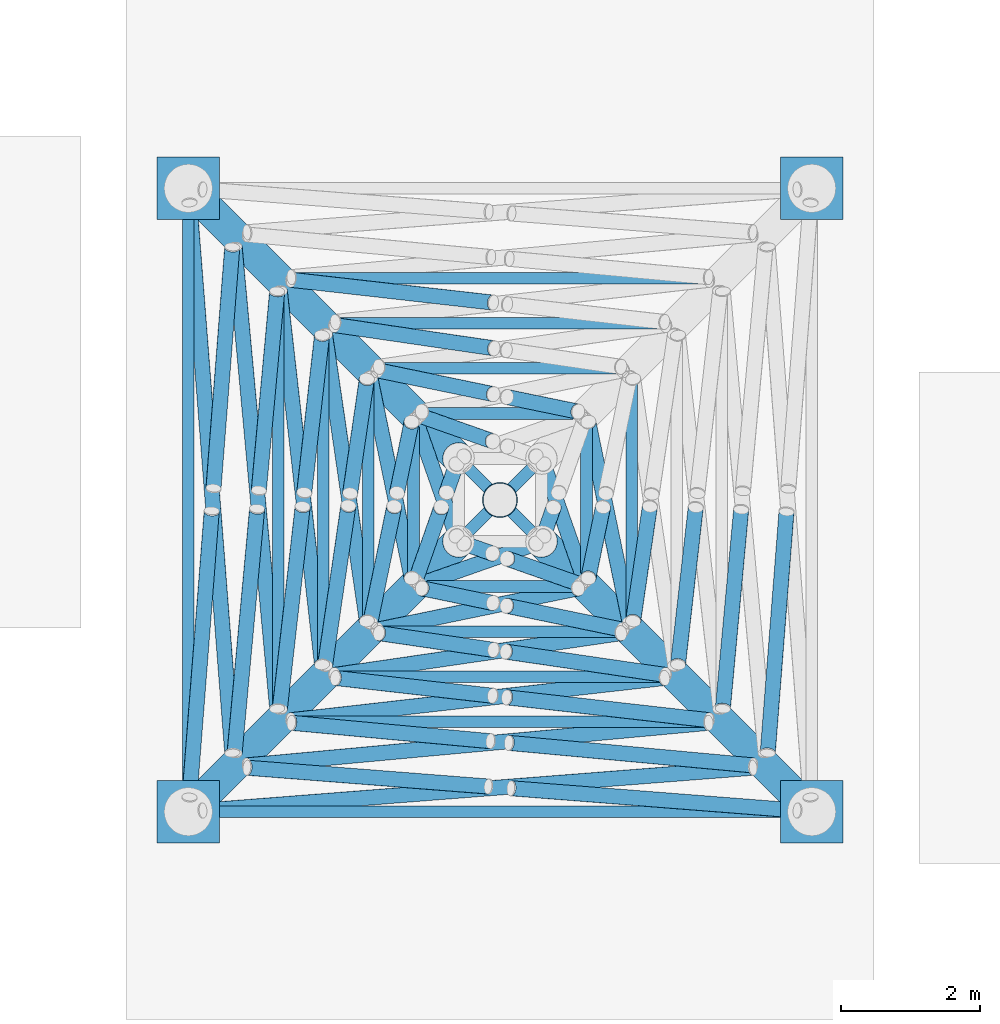
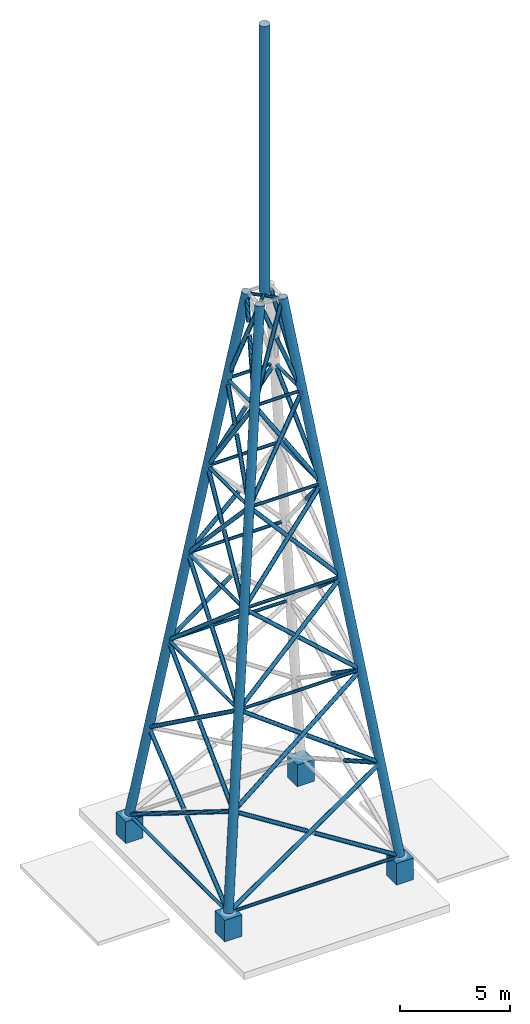
# One storey, part 1 of 10: 71 members, 4 columns.
"""IFC4 building model written with IfcOpenShell, lengths in metres."""

import ifcopenshell
import ifcopenshell.guid

model = None  # the IFC model being written
_history = None  # IfcOwnerHistory: only IFC2X3 demands one
_inside = {}  # id of a spatial element -> (the spatial element, [elements in it])
_under = {}  # id of a project, library or spatial element -> (it, [spatial elements below it])
_declared = {}  # id of a project -> (the project, [libraries it declares])
_typed = {}  # id of a type object -> (the type object, [elements of that type])
_made_of = {}  # id of a material, layer set ... -> (it, [elements and type objects made of it])


def new_model(schema):
    """Start an empty IFC model of exactly this schema.

    Asked for "IFC4X3", IfcOpenShell would pick the latest addendum, in which some entities
    have other attributes; the version numbers below select the first issue.
    IFC2X3 requires an IfcOwnerHistory on every rooted entity: one is made here for all.
    """
    global model, _history
    if schema == "IFC4X3":
        model = ifcopenshell.file(schema_version=(4, 3, 0, 0))
    else:
        model = ifcopenshell.file(schema=schema)
    _inside.clear()
    _under.clear()
    _declared.clear()
    _typed.clear()
    _made_of.clear()
    _history = None
    if model.schema == "IFC2X3":
        org = make("IfcOrganization", Name="unknown")
        user = make(
            "IfcPersonAndOrganization",
            ThePerson=make("IfcPerson", FamilyName="unknown"),
            TheOrganization=org,
        )
        app = make(
            "IfcApplication",
            ApplicationDeveloper=org,
            Version="unknown",
            ApplicationFullName="unknown",
            ApplicationIdentifier="unknown",
        )
        _history = make(
            "IfcOwnerHistory",
            OwningUser=user,
            OwningApplication=app,
            ChangeAction="ADDED",
            CreationDate=0,
        )
    return model


def make(cls, **values):
    """One entity of the class cls with the attributes given. An attribute that is None is left unset."""
    return model.create_entity(
        cls, **{name: value for name, value in values.items() if value is not None}
    )


def rooted(cls, **values):
    """An entity with a GlobalId (a new one), such as an element, a storey or a relation."""
    return make(cls, GlobalId=ifcopenshell.guid.new(), OwnerHistory=_history, **values)


def si_unit(unit_type, name, prefix=None):
    """IfcSIUnit, for example si_unit("LENGTHUNIT", "METRE", prefix="MILLI")."""
    return make("IfcSIUnit", UnitType=unit_type, Prefix=prefix, Name=name)


def assignment(units):
    """IfcUnitAssignment: the units of a project."""
    return None if units is None else make("IfcUnitAssignment", Units=units)


def point(xyz):
    """IfcCartesianPoint."""
    return None if xyz is None else make("IfcCartesianPoint", Coordinates=xyz)


def direction(xyz):
    """IfcDirection."""
    return None if xyz is None else make("IfcDirection", DirectionRatios=xyz)


def frame(location, z_axis=None, x_axis=None):
    """IfcAxis2Placement3D, a coordinate frame: its origin and axes. An axis left out is left unset."""
    return make(
        "IfcAxis2Placement3D",
        Location=point(location),
        Axis=direction(z_axis),
        RefDirection=direction(x_axis),
    )


def frame_2d(location, x_axis=None):
    """IfcAxis2Placement2D, a coordinate frame in the plane: its origin and x axis."""
    return make(
        "IfcAxis2Placement2D", Location=point(location), RefDirection=direction(x_axis)
    )


def origin():
    """The frame at (0, 0, 0) with its axes left unset."""
    return frame((0.0, 0.0, 0.0))


def origin_2d():
    """The frame at (0, 0) in the plane with its x axis left unset."""
    return frame_2d((0.0, 0.0))


def place(relative_to, where):
    """IfcLocalPlacement: puts the frame where relative to a parent placement (None: the world)."""
    return make(
        "IfcLocalPlacement", PlacementRelTo=relative_to, RelativePlacement=where
    )


def context(
    kind, dimensions, precision=None, world=None, true_north=None, identifier=None
):
    """IfcGeometricRepresentationContext, for example the 3D "Model" context."""
    return make(
        "IfcGeometricRepresentationContext",
        ContextIdentifier=identifier,
        ContextType=kind,
        CoordinateSpaceDimension=dimensions,
        Precision=precision,
        WorldCoordinateSystem=world,
        TrueNorth=true_north,
    )


def subcontext(parent, identifier, kind, view, scale=None):
    """IfcGeometricRepresentationSubContext, for example "Body" below "Model"."""
    return make(
        "IfcGeometricRepresentationSubContext",
        ContextIdentifier=identifier,
        ContextType=kind,
        ParentContext=parent,
        TargetScale=scale,
        TargetView=view,
    )


def project(units=None, contexts=None):
    """IfcProject with its units and contexts."""
    return rooted(
        "IfcProject",
        Name="project",
        RepresentationContexts=contexts,
        UnitsInContext=assignment(units),
    )


def spatial(cls, under=None, at=None, **own):
    """A site, building, storey or space (cls), placed at a placement, below another one or the project."""
    s = rooted(cls, ObjectPlacement=at, **own)
    if under is not None:
        _under.setdefault(under.id(), (under, []))[1].append(s)
    return s


def profile(cls, at=None, kind="AREA", **sizes):
    """A parametric profile (cls). Its sizes go by their IFC names, for example OverallWidth=200.0."""
    return make(cls, ProfileType=kind, Position=at, **sizes)


def rectangle(**sizes):
    """IfcRectangleProfileDef."""
    return profile("IfcRectangleProfileDef", **sizes)


def hollow_circle(**sizes):
    """IfcCircleHollowProfileDef."""
    return profile("IfcCircleHollowProfileDef", **sizes)


def extrude(swept, where, along, depth):
    """IfcExtrudedAreaSolid: the profile swept, set in the frame where, extruded along a direction by depth."""
    return make(
        "IfcExtrudedAreaSolid",
        SweptArea=swept,
        Position=where,
        ExtrudedDirection=direction(along),
        Depth=depth,
    )


def shape(context_of_items, identifier, shape_type, items):
    """IfcShapeRepresentation: the items that make up one representation, for example the "Body"."""
    return make(
        "IfcShapeRepresentation",
        ContextOfItems=context_of_items,
        RepresentationIdentifier=identifier,
        RepresentationType=shape_type,
        Items=items,
    )


def material(Name=None, Category=None):
    """IfcMaterial."""
    return make("IfcMaterial", Name=Name, Category=Category)


def material_profile(
    of_material, cross_section, Name=None, Category=None, Priority=None
):
    """IfcMaterialProfile: a cross section and its material."""
    return make(
        "IfcMaterialProfile",
        Name=Name,
        Material=of_material,
        Profile=cross_section,
        Priority=Priority,
        Category=Category,
    )


def profile_set(profiles, Name=None, composite=None):
    """IfcMaterialProfileSet."""
    return make(
        "IfcMaterialProfileSet",
        Name=Name,
        MaterialProfiles=profiles,
        CompositeProfile=composite,
    )


def made_of(thing, what):
    """Note that an element or type object is made of a material, layer set ...; save() writes the relation."""
    if what is not None:
        _made_of.setdefault(what.id(), (what, []))[1].append(thing)
    return thing


def type_object(cls, material=None, **own):
    """A type object (cls), such as IfcWallType, which elements share."""
    return made_of(rooted(cls, **own), material)


def element(
    cls,
    number,
    at=None,
    inside=None,
    cuts=None,
    type_object=None,
    material=None,
    context=None,
    identifier="Body",
    shape_type=None,
    held_by="IfcProductDefinitionShape",
    body=None,
    shapes=None,
    **own,
):
    """One element of the class cls, such as IfcWall. Its Tag is "e" and its number.

    at: its placement. inside: the storey or other place that contains it. cuts: it is an
    opening in that element (IfcRelVoidsElement). A single representation is given by context,
    identifier, shape_type and body (its items); several are given by shapes. held_by: the class
    of the entity that holds the representations. save() writes the other relations.
    """
    e = rooted(cls, Tag="e%d" % number, ObjectPlacement=at, **own)
    if body is not None:
        shapes = [shape(context, identifier, shape_type, body)]
    if shapes is not None:
        e.Representation = make(held_by, Representations=shapes)
    if inside is not None:
        _inside.setdefault(inside.id(), (inside, []))[1].append(e)
    if cuts is not None:
        rooted(
            "IfcRelVoidsElement", RelatingBuildingElement=cuts, RelatedOpeningElement=e
        )
    if type_object is not None:
        _typed.setdefault(type_object.id(), (type_object, []))[1].append(e)
    return made_of(e, material)


def aggregate(whole, parts):
    """IfcRelAggregates: a whole, such as a stair, and the parts it consists of."""
    return rooted("IfcRelAggregates", RelatingObject=whole, RelatedObjects=parts)


def save(model, path):
    """Write the relations noted so far, then the file.

    IfcRelAggregates (storeys below a building ...), IfcRelContainedInSpatialStructure (elements
    in a storey), IfcRelDefinesByType, IfcRelAssociatesMaterial and IfcRelDeclares: one each for
    every whole, place, type object, material and project.
    """
    for whole, parts in _under.values():
        aggregate(whole, parts)
    for where, things in _inside.values():
        rooted(
            "IfcRelContainedInSpatialStructure",
            RelatedElements=things,
            RelatingStructure=where,
        )
    for kind, things in _typed.values():
        rooted("IfcRelDefinesByType", RelatedObjects=things, RelatingType=kind)
    for what, things in _made_of.values():
        rooted("IfcRelAssociatesMaterial", RelatedObjects=things, RelatingMaterial=what)
    for by, libraries in _declared.values():
        rooted("IfcRelDeclares", RelatingContext=by, RelatedDefinitions=libraries)
    model.write(path)


model = new_model("IFC4")

# Units and contexts
model_context = context("Model", 3, precision=1e-05, world=origin(), true_north=direction((0.0, 1.0)))
body_context = subcontext(model_context, "Body", "Model", "MODEL_VIEW")
ifc_project = project(units=[si_unit("LENGTHUNIT", "METRE"), si_unit("AREAUNIT", "SQUARE_METRE"), si_unit("VOLUMEUNIT", "CUBIC_METRE"), si_unit("PLANEANGLEUNIT", "RADIAN"), si_unit("MASSUNIT", "GRAM", prefix="KILO")], contexts=[model_context])

# Site, building, storey
site_placement = place(None, origin())
site = spatial("IfcSite", under=ifc_project, at=site_placement, CompositionType="ELEMENT")
building_placement = place(site_placement, origin())
building = spatial("IfcBuilding", under=site, at=building_placement, Name="Dhurran Vertical Campus", CompositionType="ELEMENT")
storey_placement = place(building_placement, frame((0.0, 0.0, 345.89990234375)))
storey = spatial("IfcBuildingStorey", under=building, at=storey_placement, Name="Upper Roof", CompositionType="ELEMENT", Elevation=345.89990234375)

# Columns
ifc_material_1 = material(Name="Concrete C50/60", Category="concrete")
ifc_material_profile_1 = material_profile(ifc_material_1, rectangle(XDim=0.89990234375, YDim=0.89990234375, at=origin_2d()), Name="cr/col/mast")
ifc_profile_set_1 = profile_set([ifc_material_profile_1], Name="Concrete C50/60")
column_type = type_object("IfcColumnType", Name="cr/col/mast", PredefinedType="COLUMN", material=ifc_profile_set_1)
for number, where, z_axis, x_axis, name in (
    (1, (-4.5, -4.5, 0.400146484375), (0.0, 0.0, 1.0), (1.0, 0.0, 0.0), "Mast landing plinth 1"),
    (2, (4.5, -4.5, 0.400146484375), (0.0, 0.0, 1.0), (1.0, 0.0, 0.0), "Mast landing plinth 2"),
    (3, (4.5, 4.5, 0.400146484375), (0.0, 0.0, 1.0), (1.0, 0.0, 0.0), "Mast landing plinth 3"),
    (4, (-4.5, 4.5, 0.400146484375), (0.0, 0.0, 1.0), (1.0, 0.0, 0.0), "Mast landing plinth 4"),
):
    element("IfcColumn", number, at=place(storey_placement, frame(where, z_axis=z_axis, x_axis=x_axis)), inside=storey, type_object=column_type, Name=name, PredefinedType="COLUMN", context=body_context, shape_type="SweptSolid", body=[
        extrude(rectangle(XDim=0.89990234375, YDim=0.89990234375, at=origin_2d()), origin(), (0.0, 0.0, 1.0), 1.199951171875),
    ])

# Members
ifc_material_2 = material(Name="Steel S355J2H", Category="steel")
ifc_material_profile_2 = material_profile(ifc_material_2, hollow_circle(Radius=0.25390625, WallThickness=0.011962890625, at=origin_2d()), Name="CHS508x12")
ifc_profile_set_2 = profile_set([ifc_material_profile_2], Name="Steel S355J2H")
member_type_1 = type_object("IfcMemberType", Name="Mast antenna pole CHS 508 x 12", PredefinedType="USERDEFINED", material=ifc_profile_set_2)
member_1_placement = place(storey_placement, frame((0.0, 0.0, 31.768310546875), z_axis=(0.0, 0.0, 1.0), x_axis=(1.0, 0.0, 0.0)))
element("IfcMember", 5, at=member_1_placement, inside=storey, type_object=member_type_1, Name="MAST", ObjectType="MAST", PredefinedType="USERDEFINED", context=body_context, shape_type="SweptSolid", body=[
    extrude(hollow_circle(Radius=0.25390625, WallThickness=0.011962890625, at=origin_2d()), origin(), (0.0, 0.0, 1.0), 14.831787109375),
])
ifc_material_3 = material(Name="Steel S355J2H", Category="steel")
ifc_material_profile_3 = material_profile(ifc_material_3, hollow_circle(Radius=0.109619140625, WallThickness=0.008056640625, at=origin_2d()), Name="CHS219x8")
ifc_profile_set_3 = profile_set([ifc_material_profile_3], Name="Steel S355J2H")
member_type_2 = type_object("IfcMemberType", Name="Mast diagonal CHS 219 x 8", PredefinedType="BRACE", material=ifc_profile_set_3)
member_2_placement = place(storey_placement, frame((-4.287353515625, -4.4833984375, 1.7275390625), z_axis=(0.856046104274, 0.066618579112, 0.51258856042), x_axis=(-0.077586667917, 0.996985611211, 0.0)))
element("IfcMember", 6, at=member_2_placement, inside=storey, type_object=member_type_2, Name="MAST diagonal 1", PredefinedType="BRACE", context=body_context, shape_type="SweptSolid", body=[
    extrude(hollow_circle(Radius=0.109619140625, WallThickness=0.008056640625, at=origin_2d()), origin(), (0.0, 0.0, 1.0), 9.257080078125),
])
member_3_placement = place(storey_placement, frame((4.287353515625, -4.4833984375, 1.7275390625), z_axis=(-0.856057220148, 0.066635839385, 0.512567752343), x_axis=(-0.077605647218, -0.996984134036, 0.0)))
element("IfcMember", 7, at=member_3_placement, inside=storey, type_object=member_type_2, Name="MAST diagonal 2", PredefinedType="BRACE", context=body_context, shape_type="SweptSolid", body=[
    extrude(hollow_circle(Radius=0.109619140625, WallThickness=0.008056640625, at=origin_2d()), origin(), (0.0, 0.0, 1.0), 4.806884765625),
])
for number, where, z_axis, x_axis, name in (
    (8, (-0.17236328125, -4.13623046875, 4.39794921875), (-0.856046905359, 0.066592149346, 0.512590656831), (-0.077555999795, -0.996987997368, 0.0), "MAST diagonal 3"),
    (9, (4.13623046875, -0.17236328125, 4.39794921875), (-0.066592149346, -0.856046905359, 0.512590656831), (0.996987997368, -0.077555999795, 0.0), "MAST diagonal 6"),
):
    element("IfcMember", number, at=place(storey_placement, frame(where, z_axis=z_axis, x_axis=x_axis)), inside=storey, type_object=member_type_2, Name=name, PredefinedType="BRACE", context=body_context, shape_type="SweptSolid", body=[
        extrude(hollow_circle(Radius=0.109619140625, WallThickness=0.008056640625, at=origin_2d()), origin(), (0.0, 0.0, 1.0), 4.047607421875),
    ])
member_4_placement = place(storey_placement, frame((-4.4833984375, 4.287353515625, 1.7275390625), z_axis=(0.066618579112, -0.856046104274, 0.51258856042), x_axis=(0.996985611211, 0.077586667917, 0.0)))
element("IfcMember", 10, at=member_4_placement, inside=storey, type_object=member_type_2, Name="MAST diagonal 10", PredefinedType="BRACE", context=body_context, shape_type="SweptSolid", body=[
    extrude(hollow_circle(Radius=0.109619140625, WallThickness=0.008056640625, at=origin_2d()), origin(), (0.0, 0.0, 1.0), 9.257080078125),
])
member_5_placement = place(storey_placement, frame((-4.4833984375, -4.287353515625, 1.7275390625), z_axis=(0.066635839385, 0.856057220148, 0.512567752343), x_axis=(-0.996984134036, 0.077605647218, 0.0)))
element("IfcMember", 11, at=member_5_placement, inside=storey, type_object=member_type_2, Name="MAST diagonal 11", PredefinedType="BRACE", context=body_context, shape_type="SweptSolid", body=[
    extrude(hollow_circle(Radius=0.109619140625, WallThickness=0.008056640625, at=origin_2d()), origin(), (0.0, 0.0, 1.0), 4.806884765625),
])
member_6_placement = place(storey_placement, frame((-4.13623046875, 0.17236328125, 4.39794921875), z_axis=(0.066592149346, 0.856046905359, 0.512590656831), x_axis=(-0.996987997368, 0.077555999795, 0.0)))
element("IfcMember", 12, at=member_6_placement, inside=storey, type_object=member_type_2, Name="MAST diagonal 12", PredefinedType="BRACE", context=body_context, shape_type="SweptSolid", body=[
    extrude(hollow_circle(Radius=0.109619140625, WallThickness=0.008056640625, at=origin_2d()), origin(), (0.0, 0.0, 1.0), 4.047607421875),
])
member_7_placement = place(storey_placement, frame((-3.64794921875, -3.831298828125, 6.743408203125), z_axis=(0.813381287384, 0.075000441987, 0.576875909564), x_axis=(-0.091818710096, 0.995775740052, 0.0)))
element("IfcMember", 13, at=member_7_placement, inside=storey, type_object=member_type_2, Name="MAST diagonal 13", PredefinedType="BRACE", context=body_context, shape_type="SweptSolid", body=[
    extrude(hollow_circle(Radius=0.109619140625, WallThickness=0.008056640625, at=origin_2d()), origin(), (0.0, 0.0, 1.0), 8.17041015625),
])
member_8_placement = place(storey_placement, frame((3.64794921875, -3.831298828125, 6.743408203125), z_axis=(-0.81338632636, 0.074968569168, 0.576872947647), x_axis=(-0.091779455009, -0.995779358914, 0.0)))
element("IfcMember", 14, at=member_8_placement, inside=storey, type_object=member_type_2, Name="MAST diagonal 14", PredefinedType="BRACE", context=body_context, shape_type="SweptSolid", body=[
    extrude(hollow_circle(Radius=0.109619140625, WallThickness=0.008056640625, at=origin_2d()), origin(), (0.0, 0.0, 1.0), 4.311767578125),
])
for number, where, z_axis, x_axis, name in (
    (15, (-0.140869140625, -3.48193359375, 9.430419921875), (-0.813362818014, 0.074997306498, 0.576902357675), (-0.091816971161, -0.995775900395, 0.0), "MAST diagonal 15"),
    (16, (3.48193359375, -0.140869140625, 9.430419921875), (-0.074997306498, -0.813362818014, 0.576902357675), (0.995775900395, -0.091816971161, 0.0), "MAST diagonal 18"),
):
    element("IfcMember", number, at=place(storey_placement, frame(where, z_axis=z_axis, x_axis=x_axis)), inside=storey, type_object=member_type_2, Name=name, PredefinedType="BRACE", context=body_context, shape_type="SweptSolid", body=[
        extrude(hollow_circle(Radius=0.109619140625, WallThickness=0.008056640625, at=origin_2d()), origin(), (0.0, 0.0, 1.0), 3.512451171875),
    ])
member_9_placement = place(storey_placement, frame((-3.831298828125, 3.64794921875, 6.743408203125), z_axis=(0.075000441987, -0.813381287384, 0.576875909564), x_axis=(0.995775740052, 0.091818710096, 0.0)))
element("IfcMember", 17, at=member_9_placement, inside=storey, type_object=member_type_2, Name="MAST diagonal 22", PredefinedType="BRACE", context=body_context, shape_type="SweptSolid", body=[
    extrude(hollow_circle(Radius=0.109619140625, WallThickness=0.008056640625, at=origin_2d()), origin(), (0.0, 0.0, 1.0), 8.17041015625),
])
member_10_placement = place(storey_placement, frame((-3.831298828125, -3.64794921875, 6.743408203125), z_axis=(0.074968569168, 0.81338632636, 0.576872947647), x_axis=(-0.995779358914, 0.091779455009, 0.0)))
element("IfcMember", 18, at=member_10_placement, inside=storey, type_object=member_type_2, Name="MAST diagonal 23", PredefinedType="BRACE", context=body_context, shape_type="SweptSolid", body=[
    extrude(hollow_circle(Radius=0.109619140625, WallThickness=0.008056640625, at=origin_2d()), origin(), (0.0, 0.0, 1.0), 4.311767578125),
])
member_11_placement = place(storey_placement, frame((-3.48193359375, 0.140869140625, 9.430419921875), z_axis=(0.074997306498, 0.813362818014, 0.576902357675), x_axis=(-0.995775900395, 0.091816971161, 0.0)))
element("IfcMember", 19, at=member_11_placement, inside=storey, type_object=member_type_2, Name="MAST diagonal 24", PredefinedType="BRACE", context=body_context, shape_type="SweptSolid", body=[
    extrude(hollow_circle(Radius=0.109619140625, WallThickness=0.008056640625, at=origin_2d()), origin(), (0.0, 0.0, 1.0), 3.512451171875),
])
member_12_placement = place(storey_placement, frame((-3.01318359375, -3.178955078125, 11.7626953125), z_axis=(0.75189997403, 0.085016389762, 0.653772622955), x_axis=(-0.112352840498, 0.993668374878, 0.0)))
element("IfcMember", 20, at=member_12_placement, inside=storey, type_object=member_type_2, Name="MAST diagonal 25", PredefinedType="BRACE", context=body_context, shape_type="SweptSolid", body=[
    extrude(hollow_circle(Radius=0.109619140625, WallThickness=0.008056640625, at=origin_2d()), origin(), (0.0, 0.0, 1.0), 7.150390625),
])
member_13_placement = place(storey_placement, frame((3.01318359375, -3.178955078125, 11.7626953125), z_axis=(-0.751884776932, 0.085010509833, 0.653790865213), x_axis=(-0.112347410057, -0.993668988876, 0.0)))
element("IfcMember", 21, at=member_13_placement, inside=storey, type_object=member_type_2, Name="MAST diagonal 26", PredefinedType="BRACE", context=body_context, shape_type="SweptSolid", body=[
    extrude(hollow_circle(Radius=0.109619140625, WallThickness=0.008056640625, at=origin_2d()), origin(), (0.0, 0.0, 1.0), 3.86279296875),
])
for number, where, z_axis, x_axis, name in (
    (22, (-0.10888671875, -2.825927734375, 14.4775390625), (-0.751936755821, 0.085014292081, 0.653730590831), (-0.112344676954, -0.993669297885, 0.0), "MAST diagonal 27"),
    (23, (2.825927734375, -0.10888671875, 14.4775390625), (-0.085014292081, -0.751936755821, 0.653730590831), (0.993669297885, -0.112344676954, 0.0), "MAST diagonal 30"),
):
    element("IfcMember", number, at=place(storey_placement, frame(where, z_axis=z_axis, x_axis=x_axis)), inside=storey, type_object=member_type_2, Name=name, PredefinedType="BRACE", context=body_context, shape_type="SweptSolid", body=[
        extrude(hollow_circle(Radius=0.109619140625, WallThickness=0.008056640625, at=origin_2d()), origin(), (0.0, 0.0, 1.0), 2.998046875),
    ])
member_14_placement = place(storey_placement, frame((-3.01318359375, 3.178955078125, 11.7626953125), z_axis=(0.751884776932, -0.085010509833, 0.653790865213), x_axis=(0.112347410057, 0.993668988876, 0.0)))
element("IfcMember", 24, at=member_14_placement, inside=storey, type_object=member_type_2, Name="MAST diagonal 32", PredefinedType="BRACE", context=body_context, shape_type="SweptSolid", body=[
    extrude(hollow_circle(Radius=0.109619140625, WallThickness=0.008056640625, at=origin_2d()), origin(), (0.0, 0.0, 1.0), 3.86279296875),
])
member_15_placement = place(storey_placement, frame((-3.178955078125, 3.01318359375, 11.7626953125), z_axis=(0.085016389762, -0.75189997403, 0.653772622955), x_axis=(0.993668374878, 0.112352840498, 0.0)))
element("IfcMember", 25, at=member_15_placement, inside=storey, type_object=member_type_2, Name="MAST diagonal 34", PredefinedType="BRACE", context=body_context, shape_type="SweptSolid", body=[
    extrude(hollow_circle(Radius=0.109619140625, WallThickness=0.008056640625, at=origin_2d()), origin(), (0.0, 0.0, 1.0), 7.150390625),
])
member_16_placement = place(storey_placement, frame((-3.178955078125, -3.01318359375, 11.7626953125), z_axis=(0.085010509833, 0.751884776932, 0.653790865213), x_axis=(-0.993668988876, 0.112347410057, 0.0)))
element("IfcMember", 26, at=member_16_placement, inside=storey, type_object=member_type_2, Name="MAST diagonal 35", PredefinedType="BRACE", context=body_context, shape_type="SweptSolid", body=[
    extrude(hollow_circle(Radius=0.109619140625, WallThickness=0.008056640625, at=origin_2d()), origin(), (0.0, 0.0, 1.0), 3.86279296875),
])
member_17_placement = place(storey_placement, frame((-2.825927734375, 0.10888671875, 14.4775390625), z_axis=(0.085014292081, 0.751936755821, 0.653730590831), x_axis=(-0.993669297885, 0.112344676954, 0.0)))
element("IfcMember", 27, at=member_17_placement, inside=storey, type_object=member_type_2, Name="MAST diagonal 36", PredefinedType="BRACE", context=body_context, shape_type="SweptSolid", body=[
    extrude(hollow_circle(Radius=0.109619140625, WallThickness=0.008056640625, at=origin_2d()), origin(), (0.0, 0.0, 1.0), 2.998046875),
])
member_18_placement = place(storey_placement, frame((-2.385498046875, -2.52587890625, 16.784912109375), z_axis=(0.661721793003, 0.096631766573, 0.743496180456), x_axis=(-0.144498221167, 0.989505060159, 0.0)))
element("IfcMember", 28, at=member_18_placement, inside=storey, type_object=member_type_2, Name="MAST diagonal 37", PredefinedType="BRACE", context=body_context, shape_type="SweptSolid", body=[
    extrude(hollow_circle(Radius=0.109619140625, WallThickness=0.008056640625, at=origin_2d()), origin(), (0.0, 0.0, 1.0), 6.227783203125),
])
member_19_placement = place(storey_placement, frame((2.385498046875, -2.52587890625, 16.784912109375), z_axis=(-0.661691718785, 0.096643673213, 0.743521398293), x_axis=(-0.144522085048, -0.989501575003, 0.0)))
element("IfcMember", 29, at=member_19_placement, inside=storey, type_object=member_type_2, Name="MAST diagonal 38", PredefinedType="BRACE", context=body_context, shape_type="SweptSolid", body=[
    extrude(hollow_circle(Radius=0.109619140625, WallThickness=0.008056640625, at=origin_2d()), origin(), (0.0, 0.0, 1.0), 3.4609375),
])
for number, where, z_axis, x_axis, name in (
    (30, (-0.095458984375, -2.16357421875, 19.572509765625), (-0.661731624992, 0.09662975947, 0.743487690598), (-0.144493180429, -0.989505796249, 0.0), "MAST diagonal 39"),
    (31, (2.16357421875, -0.095458984375, 19.572509765625), (-0.09662975947, -0.661731624992, 0.743487690598), (0.989505796249, -0.144493180429, 0.0), "MAST diagonal 42"),
):
    element("IfcMember", number, at=place(storey_placement, frame(where, z_axis=z_axis, x_axis=x_axis)), inside=storey, type_object=member_type_2, Name=name, PredefinedType="BRACE", context=body_context, shape_type="SweptSolid", body=[
        extrude(hollow_circle(Radius=0.109619140625, WallThickness=0.008056640625, at=origin_2d()), origin(), (0.0, 0.0, 1.0), 2.478515625),
    ])
member_20_placement = place(storey_placement, frame((-2.385498046875, 2.52587890625, 16.784912109375), z_axis=(0.661691718785, -0.096643673213, 0.743521398293), x_axis=(0.144522085048, 0.989501575003, 0.0)))
element("IfcMember", 32, at=member_20_placement, inside=storey, type_object=member_type_2, Name="MAST diagonal 44", PredefinedType="BRACE", context=body_context, shape_type="SweptSolid", body=[
    extrude(hollow_circle(Radius=0.109619140625, WallThickness=0.008056640625, at=origin_2d()), origin(), (0.0, 0.0, 1.0), 3.4609375),
])
member_21_placement = place(storey_placement, frame((-2.52587890625, 2.385498046875, 16.784912109375), z_axis=(0.096631766573, -0.661721793003, 0.743496180456), x_axis=(0.989505060159, 0.144498221167, 0.0)))
element("IfcMember", 33, at=member_21_placement, inside=storey, type_object=member_type_2, Name="MAST diagonal 46", PredefinedType="BRACE", context=body_context, shape_type="SweptSolid", body=[
    extrude(hollow_circle(Radius=0.109619140625, WallThickness=0.008056640625, at=origin_2d()), origin(), (0.0, 0.0, 1.0), 6.227783203125),
])
member_22_placement = place(storey_placement, frame((-2.52587890625, -2.385498046875, 16.784912109375), z_axis=(0.096643673213, 0.661691718785, 0.743521398293), x_axis=(-0.989501575003, 0.144522085048, 0.0)))
element("IfcMember", 34, at=member_22_placement, inside=storey, type_object=member_type_2, Name="MAST diagonal 47", PredefinedType="BRACE", context=body_context, shape_type="SweptSolid", body=[
    extrude(hollow_circle(Radius=0.109619140625, WallThickness=0.008056640625, at=origin_2d()), origin(), (0.0, 0.0, 1.0), 3.4609375),
])
member_23_placement = place(storey_placement, frame((-2.16357421875, 0.095458984375, 19.572509765625), z_axis=(0.09662975947, 0.661731624992, 0.743487690598), x_axis=(-0.989505796249, 0.144493180429, 0.0)))
element("IfcMember", 35, at=member_23_placement, inside=storey, type_object=member_type_2, Name="MAST diagonal 48", PredefinedType="BRACE", context=body_context, shape_type="SweptSolid", body=[
    extrude(hollow_circle(Radius=0.109619140625, WallThickness=0.008056640625, at=origin_2d()), origin(), (0.0, 0.0, 1.0), 2.478515625),
])
member_24_placement = place(storey_placement, frame((-1.768310546875, -1.872802734375, 21.80908203125), z_axis=(0.529846960515, 0.109339190093, 0.841015540845), x_axis=(-0.202101617064, 0.979364557445, 0.0)))
element("IfcMember", 36, at=member_24_placement, inside=storey, type_object=member_type_2, Name="MAST diagonal 49", PredefinedType="BRACE", context=body_context, shape_type="SweptSolid", body=[
    extrude(hollow_circle(Radius=0.109619140625, WallThickness=0.008056640625, at=origin_2d()), origin(), (0.0, 0.0, 1.0), 5.4482421875),
])
member_25_placement = place(storey_placement, frame((1.768310546875, -1.872802734375, 21.80908203125), z_axis=(-0.529836052534, 0.109323848939, 0.84102440719), x_axis=(-0.202078408912, -0.979369346392, 0.0)))
element("IfcMember", 37, at=member_25_placement, inside=storey, type_object=member_type_2, Name="MAST diagonal 50", PredefinedType="BRACE", context=body_context, shape_type="SweptSolid", body=[
    extrude(hollow_circle(Radius=0.109619140625, WallThickness=0.008056640625, at=origin_2d()), origin(), (0.0, 0.0, 1.0), 3.14208984375),
])
member_26_placement = place(storey_placement, frame((-0.103515625, -1.486572265625, 24.7802734375), z_axis=(-0.529864135441, 0.109363345732, 0.841001579418), x_axis=(-0.202138157319, -0.97935701629, 0.0)))
element("IfcMember", 38, at=member_26_placement, inside=storey, type_object=member_type_2, Name="MAST diagonal 51", PredefinedType="BRACE", context=body_context, shape_type="SweptSolid", body=[
    extrude(hollow_circle(Radius=0.109619140625, WallThickness=0.008056640625, at=origin_2d()), origin(), (0.0, 0.0, 1.0), 1.915283203125),
])
member_27_placement = place(storey_placement, frame((1.872802734375, -1.768310546875, 21.80908203125), z_axis=(-0.109339190093, 0.529846960515, 0.841015540845), x_axis=(-0.979364557445, -0.202101617064, 0.0)))
element("IfcMember", 39, at=member_27_placement, inside=storey, type_object=member_type_2, Name="MAST diagonal 52", PredefinedType="BRACE", context=body_context, shape_type="SweptSolid", body=[
    extrude(hollow_circle(Radius=0.109619140625, WallThickness=0.008056640625, at=origin_2d()), origin(), (0.0, 0.0, 1.0), 5.4482421875),
])
member_28_placement = place(storey_placement, frame((1.486572265625, -0.103515625, 24.7802734375), z_axis=(-0.109363345732, -0.529864135441, 0.841001579418), x_axis=(0.97935701629, -0.202138157319, 0.0)))
element("IfcMember", 40, at=member_28_placement, inside=storey, type_object=member_type_2, Name="MAST diagonal 54", PredefinedType="BRACE", context=body_context, shape_type="SweptSolid", body=[
    extrude(hollow_circle(Radius=0.109619140625, WallThickness=0.008056640625, at=origin_2d()), origin(), (0.0, 0.0, 1.0), 1.915283203125),
])
member_29_placement = place(storey_placement, frame((-1.768310546875, 1.872802734375, 21.80908203125), z_axis=(0.529836052534, -0.109323848939, 0.84102440719), x_axis=(0.202078408912, 0.979369346392, 0.0)))
element("IfcMember", 41, at=member_29_placement, inside=storey, type_object=member_type_2, Name="MAST diagonal 56", PredefinedType="BRACE", context=body_context, shape_type="SweptSolid", body=[
    extrude(hollow_circle(Radius=0.109619140625, WallThickness=0.008056640625, at=origin_2d()), origin(), (0.0, 0.0, 1.0), 3.14208984375),
])
member_30_placement = place(storey_placement, frame((0.103515625, 1.486572265625, 24.7802734375), z_axis=(0.529864135441, -0.109363345732, 0.841001579418), x_axis=(0.202138157319, 0.97935701629, 0.0)))
element("IfcMember", 42, at=member_30_placement, inside=storey, type_object=member_type_2, Name="MAST diagonal 57", PredefinedType="BRACE", context=body_context, shape_type="SweptSolid", body=[
    extrude(hollow_circle(Radius=0.109619140625, WallThickness=0.008056640625, at=origin_2d()), origin(), (0.0, 0.0, 1.0), 1.915283203125),
])
member_31_placement = place(storey_placement, frame((-1.872802734375, 1.768310546875, 21.80908203125), z_axis=(0.109339190093, -0.529846960515, 0.841015540845), x_axis=(0.979364557445, 0.202101617064, 0.0)))
element("IfcMember", 43, at=member_31_placement, inside=storey, type_object=member_type_2, Name="MAST diagonal 58", PredefinedType="BRACE", context=body_context, shape_type="SweptSolid", body=[
    extrude(hollow_circle(Radius=0.109619140625, WallThickness=0.008056640625, at=origin_2d()), origin(), (0.0, 0.0, 1.0), 5.4482421875),
])
member_32_placement = place(storey_placement, frame((-1.872802734375, -1.768310546875, 21.80908203125), z_axis=(0.109323848939, 0.529836052534, 0.84102440719), x_axis=(-0.979369346392, 0.202078408912, 0.0)))
element("IfcMember", 44, at=member_32_placement, inside=storey, type_object=member_type_2, Name="MAST diagonal 59", PredefinedType="BRACE", context=body_context, shape_type="SweptSolid", body=[
    extrude(hollow_circle(Radius=0.109619140625, WallThickness=0.008056640625, at=origin_2d()), origin(), (0.0, 0.0, 1.0), 3.14208984375),
])
member_33_placement = place(storey_placement, frame((-1.486572265625, 0.103515625, 24.7802734375), z_axis=(0.109363345732, 0.529864135441, 0.841001579418), x_axis=(-0.97935701629, 0.202138157319, 0.0)))
element("IfcMember", 45, at=member_33_placement, inside=storey, type_object=member_type_2, Name="MAST diagonal 60", PredefinedType="BRACE", context=body_context, shape_type="SweptSolid", body=[
    extrude(hollow_circle(Radius=0.109619140625, WallThickness=0.008056640625, at=origin_2d()), origin(), (0.0, 0.0, 1.0), 1.915283203125),
])
member_34_placement = place(storey_placement, frame((-1.164306640625, -1.219970703125, 26.831298828125), z_axis=(0.344422318553, 0.121018662249, 0.930982142616), x_axis=(-0.331499198537, 0.943455500471, 0.0)))
element("IfcMember", 46, at=member_34_placement, inside=storey, type_object=member_type_2, Name="MAST diagonal 61", PredefinedType="BRACE", context=body_context, shape_type="SweptSolid", body=[
    extrude(hollow_circle(Radius=0.109619140625, WallThickness=0.008056640625, at=origin_2d()), origin(), (0.0, 0.0, 1.0), 4.8740234375),
])
member_35_placement = place(storey_placement, frame((1.164306640625, -1.219970703125, 26.831298828125), z_axis=(-0.344449311963, 0.121035661009, 0.930969945945), x_axis=(-0.331517518104, -0.943449063379, 0.0)))
element("IfcMember", 47, at=member_35_placement, inside=storey, type_object=member_type_2, Name="MAST diagonal 62", PredefinedType="BRACE", context=body_context, shape_type="SweptSolid", body=[
    extrude(hollow_circle(Radius=0.109619140625, WallThickness=0.008056640625, at=origin_2d()), origin(), (0.0, 0.0, 1.0), 3.06201171875),
])
member_36_placement = place(storey_placement, frame((-0.109619140625, -0.772216796875, 30.275146484375), z_axis=(-0.344534864702, 0.120940465173, 0.93095065975), x_axis=(-0.331212165142, -0.943556305507, 0.0)))
element("IfcMember", 48, at=member_36_placement, inside=storey, type_object=member_type_2, Name="MAST diagonal 63", PredefinedType="BRACE", context=body_context, shape_type="SweptSolid", body=[
    extrude(hollow_circle(Radius=0.109619140625, WallThickness=0.008056640625, at=origin_2d()), origin(), (0.0, 0.0, 1.0), 1.1748046875),
])
member_37_placement = place(storey_placement, frame((1.219970703125, -1.164306640625, 26.831298828125), z_axis=(-0.121018662249, 0.344422318553, 0.930982142616), x_axis=(-0.943455500471, -0.331499198537, 0.0)))
element("IfcMember", 49, at=member_37_placement, inside=storey, type_object=member_type_2, Name="MAST diagonal 64", PredefinedType="BRACE", context=body_context, shape_type="SweptSolid", body=[
    extrude(hollow_circle(Radius=0.109619140625, WallThickness=0.008056640625, at=origin_2d()), origin(), (0.0, 0.0, 1.0), 4.8740234375),
])
member_38_placement = place(storey_placement, frame((0.772216796875, -0.109619140625, 30.275146484375), z_axis=(-0.120940465173, -0.344534864702, 0.93095065975), x_axis=(0.943556305507, -0.331212165142, 0.0)))
element("IfcMember", 50, at=member_38_placement, inside=storey, type_object=member_type_2, Name="MAST diagonal 66", PredefinedType="BRACE", context=body_context, shape_type="SweptSolid", body=[
    extrude(hollow_circle(Radius=0.109619140625, WallThickness=0.008056640625, at=origin_2d()), origin(), (0.0, 0.0, 1.0), 1.1748046875),
])
member_39_placement = place(storey_placement, frame((-1.164306640625, 1.219970703125, 26.831298828125), z_axis=(0.344449311963, -0.121035661009, 0.930969945945), x_axis=(0.331517518104, 0.943449063379, 0.0)))
element("IfcMember", 51, at=member_39_placement, inside=storey, type_object=member_type_2, Name="MAST diagonal 68", PredefinedType="BRACE", context=body_context, shape_type="SweptSolid", body=[
    extrude(hollow_circle(Radius=0.109619140625, WallThickness=0.008056640625, at=origin_2d()), origin(), (0.0, 0.0, 1.0), 3.06201171875),
])
member_40_placement = place(storey_placement, frame((-1.219970703125, 1.164306640625, 26.831298828125), z_axis=(0.121018662249, -0.344422318553, 0.930982142616), x_axis=(0.943455500471, 0.331499198537, 0.0)))
element("IfcMember", 52, at=member_40_placement, inside=storey, type_object=member_type_2, Name="MAST diagonal 70", PredefinedType="BRACE", context=body_context, shape_type="SweptSolid", body=[
    extrude(hollow_circle(Radius=0.109619140625, WallThickness=0.008056640625, at=origin_2d()), origin(), (0.0, 0.0, 1.0), 4.8740234375),
])
member_41_placement = place(storey_placement, frame((-1.219970703125, -1.164306640625, 26.831298828125), z_axis=(0.121035661009, 0.344449311963, 0.930969945945), x_axis=(-0.943449063379, 0.331517518104, 0.0)))
element("IfcMember", 53, at=member_41_placement, inside=storey, type_object=member_type_2, Name="MAST diagonal 71", PredefinedType="BRACE", context=body_context, shape_type="SweptSolid", body=[
    extrude(hollow_circle(Radius=0.109619140625, WallThickness=0.008056640625, at=origin_2d()), origin(), (0.0, 0.0, 1.0), 3.06201171875),
])
member_42_placement = place(storey_placement, frame((-0.772216796875, 0.109619140625, 30.275146484375), z_axis=(0.120940465173, 0.344534864702, 0.93095065975), x_axis=(-0.943556305507, 0.331212165142, 0.0)))
element("IfcMember", 54, at=member_42_placement, inside=storey, type_object=member_type_2, Name="MAST diagonal 72", PredefinedType="BRACE", context=body_context, shape_type="SweptSolid", body=[
    extrude(hollow_circle(Radius=0.109619140625, WallThickness=0.008056640625, at=origin_2d()), origin(), (0.0, 0.0, 1.0), 1.1748046875),
])
ifc_material_4 = material(Name="Steel S355J2H", Category="steel")
ifc_material_profile_4 = material_profile(ifc_material_4, hollow_circle(Radius=0.228515625, WallThickness=0.01611328125, at=origin_2d()), Name="CHS457x16")
ifc_profile_set_4 = profile_set([ifc_material_profile_4], Name="Steel S355J2H")
member_type_3 = type_object("IfcMemberType", Name="Mast leg CHS 457 x 16", PredefinedType="BRACE", material=ifc_profile_set_4)
for number, where, z_axis, x_axis, name in (
    (55, (-4.494873046875, -4.494873046875, 1.64013671875), (0.127856550059, 0.127856550059, 0.983516855582), (-0.707106781187, 0.707106781187, 0.0), "MAST leg 1"),
    (56, (4.494873046875, -4.494873046875, 1.64013671875), (-0.127856550059, 0.127856550059, 0.983516855582), (-0.707106781187, -0.707106781187, 0.0), "MAST leg 2"),
    (57, (-4.494873046875, 4.494873046875, 1.64013671875), (0.127856550059, -0.127856550059, 0.983516855582), (0.707106781187, 0.707106781187, 0.0), "MAST leg 4"),
):
    element("IfcMember", number, at=place(storey_placement, frame(where, z_axis=z_axis, x_axis=x_axis)), inside=storey, type_object=member_type_3, Name=name, PredefinedType="BRACE", context=body_context, shape_type="SweptSolid", body=[
        extrude(hollow_circle(Radius=0.228515625, WallThickness=0.01611328125, at=origin_2d()), origin(), (0.0, 0.0, 1.0), 30.462158203125),
    ])
ifc_material_5 = material(Name="Steel S355J2H", Category="steel")
ifc_material_profile_5 = material_profile(ifc_material_5, hollow_circle(Radius=0.084228515625, WallThickness=0.006103515625, at=origin_2d()), Name="CHS168x6")
ifc_profile_set_5 = profile_set([ifc_material_profile_5], Name="Steel S355J2H")
member_type_4 = type_object("IfcMemberType", Name="Mast ring CHS 168 x 6", PredefinedType="BRACE", material=ifc_profile_set_5)
for number, where, z_axis, x_axis, name in (
    (58, (-4.301513671875, -4.5, 1.60009765625), (1.0, 0.0, 0.0), (0.0, 1.0, 0.0), "MAST ring 1"),
    (59, (-4.5, 4.301513671875, 1.60009765625), (0.0, -1.0, 0.0), (1.0, 0.0, 0.0), "MAST ring 4"),
):
    element("IfcMember", number, at=place(storey_placement, frame(where, z_axis=z_axis, x_axis=x_axis)), inside=storey, type_object=member_type_4, Name=name, PredefinedType="BRACE", context=body_context, shape_type="SweptSolid", body=[
        extrude(hollow_circle(Radius=0.084228515625, WallThickness=0.006103515625, at=origin_2d()), origin(), (0.0, 0.0, 1.0), 8.60302734375),
    ])
for number, where, z_axis, x_axis, name in (
    (60, (-3.00146484375, -3.199951171875, 11.60009765625), (1.0, 0.0, 0.0), (0.0, 1.0, 0.0), "MAST ring 5"),
    (61, (3.00146484375, 3.199951171875, 11.60009765625), (-1.0, 0.0, 0.0), (0.0, -1.0, 0.0), "MAST ring 7"),
    (62, (-3.199951171875, 3.00146484375, 11.60009765625), (0.0, -1.0, 0.0), (1.0, 0.0, 0.0), "MAST ring 8"),
):
    element("IfcMember", number, at=place(storey_placement, frame(where, z_axis=z_axis, x_axis=x_axis)), inside=storey, type_object=member_type_4, Name=name, PredefinedType="BRACE", context=body_context, shape_type="SweptSolid", body=[
        extrude(hollow_circle(Radius=0.084228515625, WallThickness=0.006103515625, at=origin_2d()), origin(), (0.0, 0.0, 1.0), 6.0029296875),
    ])
for number, where, z_axis, x_axis, name in (
    (63, (-2.3515625, -2.550048828125, 16.60009765625), (1.0, 0.0, 0.0), (0.0, 1.0, 0.0), "MAST ring 9"),
    (64, (2.3515625, 2.550048828125, 16.60009765625), (-1.0, 0.0, 0.0), (0.0, -1.0, 0.0), "MAST ring 11"),
    (65, (-2.550048828125, 2.3515625, 16.60009765625), (0.0, -1.0, 0.0), (1.0, 0.0, 0.0), "MAST ring 12"),
):
    element("IfcMember", number, at=place(storey_placement, frame(where, z_axis=z_axis, x_axis=x_axis)), inside=storey, type_object=member_type_4, Name=name, PredefinedType="BRACE", context=body_context, shape_type="SweptSolid", body=[
        extrude(hollow_circle(Radius=0.084228515625, WallThickness=0.006103515625, at=origin_2d()), origin(), (0.0, 0.0, 1.0), 4.703125),
    ])
for number, where, z_axis, x_axis, name in (
    (66, (-1.701416015625, -1.89990234375, 21.60009765625), (1.0, 0.0, 0.0), (0.0, 1.0, 0.0), "MAST ring 13"),
    (67, (1.89990234375, -1.701416015625, 21.60009765625), (0.0, 1.0, 0.0), (-1.0, 0.0, 0.0), "MAST ring 14"),
    (68, (1.701416015625, 1.89990234375, 21.60009765625), (-1.0, 0.0, 0.0), (0.0, -1.0, 0.0), "MAST ring 15"),
    (69, (-1.89990234375, 1.701416015625, 21.60009765625), (0.0, -1.0, 0.0), (1.0, 0.0, 0.0), "MAST ring 16"),
):
    element("IfcMember", number, at=place(storey_placement, frame(where, z_axis=z_axis, x_axis=x_axis)), inside=storey, type_object=member_type_4, Name=name, PredefinedType="BRACE", context=body_context, shape_type="SweptSolid", body=[
        extrude(hollow_circle(Radius=0.084228515625, WallThickness=0.006103515625, at=origin_2d()), origin(), (0.0, 0.0, 1.0), 3.40283203125),
    ])
for number, where, z_axis, x_axis, name in (
    (70, (-1.051513671875, -1.25, 26.60009765625), (1.0, 0.0, 0.0), (0.0, 1.0, 0.0), "MAST ring 17"),
    (71, (1.25, -1.051513671875, 26.60009765625), (0.0, 1.0, 0.0), (-1.0, 0.0, 0.0), "MAST ring 18"),
    (72, (1.051513671875, 1.25, 26.60009765625), (-1.0, 0.0, 0.0), (0.0, -1.0, 0.0), "MAST ring 19"),
    (73, (-1.25, 1.051513671875, 26.60009765625), (0.0, -1.0, 0.0), (1.0, 0.0, 0.0), "MAST ring 20"),
):
    element("IfcMember", number, at=place(storey_placement, frame(where, z_axis=z_axis, x_axis=x_axis)), inside=storey, type_object=member_type_4, Name=name, PredefinedType="BRACE", context=body_context, shape_type="SweptSolid", body=[
        extrude(hollow_circle(Radius=0.084228515625, WallThickness=0.006103515625, at=origin_2d()), origin(), (0.0, 0.0, 1.0), 2.10302734375),
    ])
for number, where, z_axis, x_axis, name in (
    (74, (-0.459716796875, -0.459716796875, 31.684326171875), (0.707106781187, 0.707106781187, 0.0), (-0.707106781187, 0.707106781187, 0.0), "MAST head cross 1"),
    (75, (0.459716796875, -0.459716796875, 31.515869140625), (-0.707106781187, 0.707106781187, 0.0), (-0.707106781187, -0.707106781187, 0.0), "MAST head cross 2"),
):
    element("IfcMember", number, at=place(storey_placement, frame(where, z_axis=z_axis, x_axis=x_axis)), inside=storey, type_object=member_type_4, Name=name, PredefinedType="BRACE", context=body_context, shape_type="SweptSolid", body=[
        extrude(hollow_circle(Radius=0.084228515625, WallThickness=0.006103515625, at=origin_2d()), origin(), (0.0, 0.0, 1.0), 1.30029296875),
    ])

save(model, "model.ifc")
